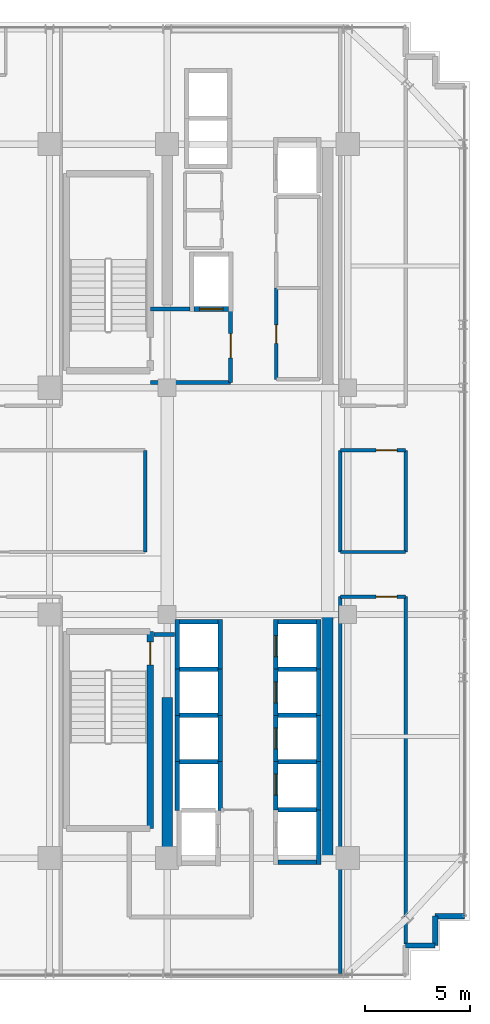
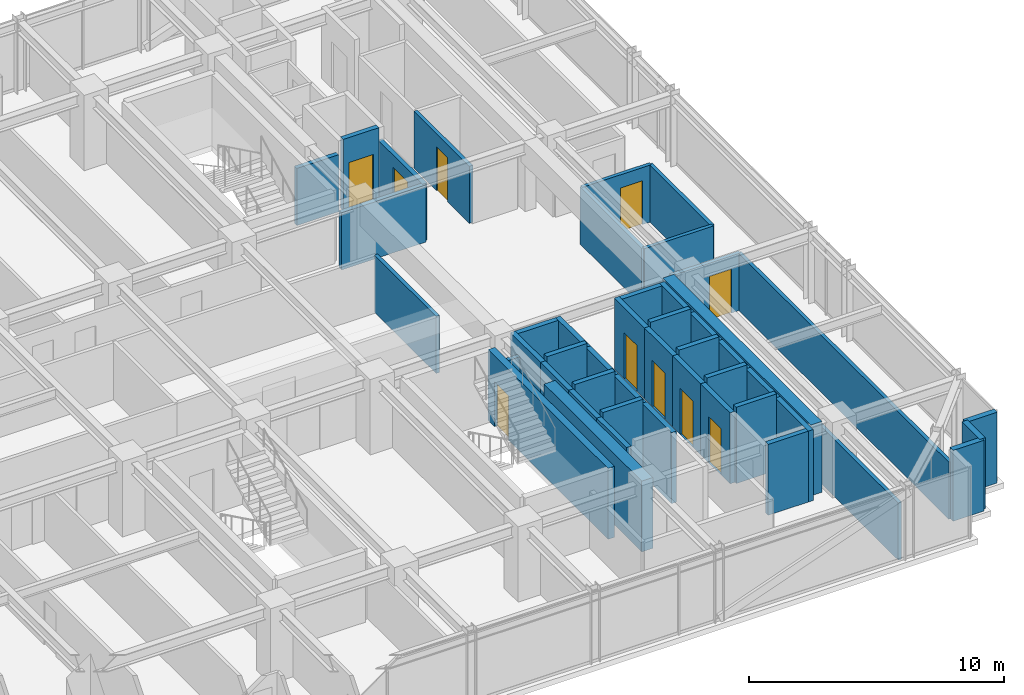
# One storey, part 27 of 32: 47 walls, 10 doors, 10 openings.
"""IFC4 building model written with IfcOpenShell, lengths in metres."""

from ifc_helpers import new_model, si_unit, direction, frame, frame_2d, origin, place, context, subcontext, project, spatial, rectangle, extrude, source, transform, mapped, material, layer, layer_set, type_object, element, fill, save


model = new_model("IFC4")

# Units and contexts
model_context = context("Model", 3, precision=1e-05, world=origin(), true_north=direction((0.0, 1.0)))
body_context = subcontext(model_context, "Body", "Model", "MODEL_VIEW")
ifc_project = project(units=[si_unit("LENGTHUNIT", "METRE"), si_unit("AREAUNIT", "SQUARE_METRE"), si_unit("VOLUMEUNIT", "CUBIC_METRE"), si_unit("PLANEANGLEUNIT", "RADIAN"), si_unit("MASSUNIT", "GRAM", prefix="KILO")], contexts=[model_context])

# Site, building, storey
site_placement = place(None, origin())
site = spatial("IfcSite", under=ifc_project, at=site_placement, CompositionType="ELEMENT")
building_placement = place(site_placement, origin())
building = spatial("IfcBuilding", under=site, at=building_placement, Name="Nahalor Promenade Grand Hotel", CompositionType="ELEMENT")
storey_placement = place(building_placement, frame((0.0, 0.0, 152.64990234375)))
storey = spatial("IfcBuildingStorey", under=building, at=storey_placement, Name="L38", CompositionType="ELEMENT", Elevation=152.64990234375)

# Walls
ifc_material_1 = material(Name="Concrete B-60 (C50/60)", Category="concrete")
ifc_layer_1 = layer(ifc_material_1, 0.5)
ifc_layer_set_1 = layer_set([ifc_layer_1], Name="Concrete B-60 (C50/60)")
wall_type_1 = type_object("IfcWallType", Name="Wall-CoreShear-500", PredefinedType="SHEAR", material=ifc_layer_set_1)
shared_shape_1 = source(origin(), body_context, "Body", "SweptSolid", [
    extrude(rectangle(XDim=7.64990234375, YDim=0.5, at=frame_2d((3.824951171875, 0.0))), origin(), (0.0, 0.0, 1.0), 3.39013671875),
])
wall_1_placement = place(storey_placement, frame((8.39990234375, -17.0, 0.0), z_axis=(0.0, 0.0, 1.0), x_axis=(0.0, 1.0, 0.0)))
element("IfcWall", 1, at=wall_1_placement, inside=storey, type_object=wall_type_1, Name="CWALL-L38-SW", PredefinedType="SHEAR", context=body_context, shape_type="MappedRepresentation", body=[
    mapped(shared_shape_1, transform((0.0, 0.0, 0.0), scale=1.0)),
])
shared_shape_2 = source(origin(), body_context, "Body", "SweptSolid", [
    extrude(rectangle(XDim=11.60009765625, YDim=0.5, at=frame_2d((5.800048828125, 0.0))), origin(), (0.0, 0.0, 1.0), 3.39013671875),
])
wall_2_placement = place(storey_placement, frame((16.050048828125, -17.0, 0.0), z_axis=(0.0, 0.0, 1.0), x_axis=(0.0, 1.0, 0.0)))
element("IfcWall", 2, at=wall_2_placement, inside=storey, type_object=wall_type_1, Name="CWALL-L38-SE", PredefinedType="SHEAR", context=body_context, shape_type="MappedRepresentation", body=[
    mapped(shared_shape_2, transform((0.0, 0.0, 0.0), scale=1.0)),
])

# Wall, opening, door
ifc_material_2 = material(Name="Concrete B-50 (C40/50)", Category="concrete")
ifc_layer_2 = layer(ifc_material_2, 0.300048828125)
ifc_layer_set_2 = layer_set([ifc_layer_2], Name="Concrete B-50 (C40/50)")
wall_type_2 = type_object("IfcWallType", Name="Wall-ShaftShear-300", PredefinedType="SHEAR", material=ifc_layer_set_2)
shared_shape_3 = source(origin(), body_context, "Body", "SweptSolid", [
    extrude(rectangle(XDim=9.380126953125, YDim=0.300048828125, at=frame_2d((4.68994140625, 0.0))), origin(), (0.0, 0.0, 1.0), 3.39013671875),
])
wall_3_placement = place(storey_placement, frame((7.590087890625, -15.590087890625, 0.0), z_axis=(0.0, 0.0, 1.0), x_axis=(0.0, 1.0, 0.0)))
wall_3 = element("IfcWall", 3, at=wall_3_placement, inside=storey, type_object=wall_type_2, Name="L38 Exit Stair ST2 Shaft Wall E", PredefinedType="SHEAR", context=body_context, shape_type="MappedRepresentation", body=[
    mapped(shared_shape_3, transform((0.0, 0.0, 0.0), scale=1.0)),
])
opening_1_placement = place(wall_3_placement, frame((7.7900390625, 0.0, 0.0)))
opening_1 = element("IfcOpeningElement", 4, at=opening_1_placement, cuts=wall_3, Name="Opening D-ST1", PredefinedType="OPENING", context=body_context, shape_type="SweptSolid", body=[
    extrude(rectangle(XDim=1.10009765625, YDim=2.14990234375, at=frame_2d((0.550048828125, 1.074951171875))), frame((0.0, 0.159912109375, 0.0), z_axis=(0.0, -1.0, 0.0), x_axis=(1.0, 0.0, 0.0)), (0.0, 0.0, 1.0), 0.320068359375),
])
ifc_material_3 = material(Name="Steel S355JR", Category="steel")
door_type_1 = type_object("IfcDoorType", Name="Door-StairFire-1100", OperationType="NOTDEFINED", PredefinedType="DOOR", material=ifc_material_3)
shared_shape_4 = source(origin(), body_context, "Body", "SweptSolid", [
    extrude(rectangle(XDim=1.10009765625, YDim=2.14990234375, at=frame_2d((0.550048828125, 1.074951171875))), frame((0.0, 0.02490234375, 0.0), z_axis=(0.0, -1.0, 0.0), x_axis=(1.0, 0.0, 0.0)), (0.0, 0.0, 1.0), 0.050048828125),
])
door_1_placement = place(opening_1_placement, origin())
door_1 = element("IfcDoor", 5, at=door_1_placement, inside=storey, type_object=door_type_1, Name="DR-STAIR-ST2-L38", OperationType="SINGLE_SWING_LEFT", OverallHeight=2.14990234375, OverallWidth=1.10009765625, PredefinedType="DOOR", context=body_context, shape_type="MappedRepresentation", body=[
    mapped(shared_shape_4, transform((0.0, 0.0, 0.0), scale=1.0)),
])
fill(opening_1, door_1)

# Walls
ifc_layer_3 = layer(ifc_material_2, 0.219970703125)
ifc_layer_set_3 = layer_set([ifc_layer_3], Name="Concrete B-50 (C40/50)")
wall_type_3 = type_object("IfcWallType", Name="Wall-LiftShaft-220", PredefinedType="SHEAR", material=ifc_layer_set_3)
shared_shape_5 = source(origin(), body_context, "Body", "SweptSolid", [
    extrude(rectangle(XDim=1.820068359375, YDim=0.219970703125, at=frame_2d((0.91015625, 0.0))), origin(), (0.0, 0.0, 1.0), 3.650146484375),
])
for number, where, z_axis, x_axis, name in (
    (6, (13.68994140625, -8.0, 0.0), (0.0, 0.0, 1.0), (1.0, 0.0, 0.0), "L38 Lift PL6 Hoistway Wall N"),
    (7, (13.68994140625, -10.199951171875, 0.0), (0.0, 0.0, 1.0), (1.0, 0.0, 0.0), "L38 Lift PL7 Hoistway Wall N"),
    (8, (13.68994140625, -12.39990234375, 0.0), (0.0, 0.0, 1.0), (1.0, 0.0, 0.0), "L38 Lift PL8 Hoistway Wall N"),
    (9, (8.989990234375, -8.0, 0.0), (0.0, 0.0, 1.0), (1.0, 0.0, 0.0), "L38 Lift PL10 Hoistway Wall N"),
    (10, (8.989990234375, -10.199951171875, 0.0), (0.0, 0.0, 1.0), (1.0, 0.0, 0.0), "L38 Lift PL11 Hoistway Wall N"),
    (11, (8.989990234375, -12.39990234375, 0.0), (0.0, 0.0, 1.0), (1.0, 0.0, 0.0), "L38 Lift PL12 Hoistway Wall N"),
    (12, (13.68994140625, -14.699951171875, 0.0), (0.0, 0.0, 1.0), (1.0, 0.0, 0.0), "L38 Lift SV2 Hoistway Wall N"),
):
    element("IfcWall", number, at=place(storey_placement, frame(where, z_axis=z_axis, x_axis=x_axis)), inside=storey, type_object=wall_type_3, Name=name, PredefinedType="SHEAR", context=body_context, shape_type="MappedRepresentation", body=[
        mapped(shared_shape_5, transform((0.0, 0.0, 0.0), scale=1.0)),
    ])

# Wall, opening, door
shared_shape_6 = source(origin(), body_context, "Body", "SweptSolid", [
    extrude(rectangle(XDim=2.360107421875, YDim=0.219970703125, at=frame_2d((1.18017578125, 0.0))), origin(), (0.0, 0.0, 1.0), 3.39013671875),
])
wall_4_placement = place(storey_placement, frame((13.580078125, -8.0, 0.0), z_axis=(0.0, 0.0, 1.0), x_axis=(0.0, 1.0, 0.0)))
wall_4 = element("IfcWall", 13, at=wall_4_placement, inside=storey, type_object=wall_type_3, Name="L38 Lift PL5 Hoistway Wall W", PredefinedType="SHEAR", context=body_context, shape_type="MappedRepresentation", body=[
    mapped(shared_shape_6, transform((0.0, 0.0, 0.0), scale=1.0)),
])
opening_2_placement = place(wall_4_placement, frame((0.60009765625, 0.0, 0.0)))
opening_2 = element("IfcOpeningElement", 14, at=opening_2_placement, cuts=wall_4, Name="Opening LD-01", PredefinedType="OPENING", context=body_context, shape_type="SweptSolid", body=[
    extrude(rectangle(XDim=1.0, YDim=2.199951171875, at=frame_2d((0.5, 1.10009765625))), frame((0.0, 0.119873046875, 0.0), z_axis=(0.0, -1.0, 0.0), x_axis=(1.0, 0.0, 0.0)), (0.0, 0.0, 1.0), 0.239990234375),
])
door_type_2 = type_object("IfcDoorType", Name="Door-LiftLanding-1000", OperationType="DOUBLE_DOOR_SLIDING", PredefinedType="DOOR", material=ifc_material_3)
shared_shape_7 = source(origin(), body_context, "Body", "SweptSolid", [
    extrude(rectangle(XDim=1.0, YDim=2.199951171875, at=frame_2d((0.5, 1.10009765625))), frame((0.0, 0.02490234375, 0.0), z_axis=(0.0, -1.0, 0.0), x_axis=(1.0, 0.0, 0.0)), (0.0, 0.0, 1.0), 0.050048828125),
])
door_2_placement = place(opening_2_placement, origin())
door_2 = element("IfcDoor", 15, at=door_2_placement, inside=storey, type_object=door_type_2, Name="DR-LIFT-PL5-L38", OperationType="DOUBLE_DOOR_SLIDING", OverallHeight=2.199951171875, OverallWidth=1.0, PredefinedType="DOOR", context=body_context, shape_type="MappedRepresentation", body=[
    mapped(shared_shape_7, transform((0.0, 0.0, 0.0), scale=1.0)),
])
fill(opening_2, door_2)

# Walls
for number, where, z_axis, x_axis, name in (
    (16, (15.6201171875, -8.0, 0.0), (0.0, 0.0, 1.0), (0.0, 1.0, 0.0), "L38 Lift PL5 Hoistway Wall E"),
    (17, (8.8798828125, -8.0, 0.0), (0.0, 0.0, 1.0), (0.0, 1.0, 0.0), "L38 Lift PL9 Hoistway Wall W"),
    (18, (10.919921875, -8.0, 0.0), (0.0, 0.0, 1.0), (0.0, 1.0, 0.0), "L38 Lift PL9 Hoistway Wall E"),
):
    element("IfcWall", number, at=place(storey_placement, frame(where, z_axis=z_axis, x_axis=x_axis)), inside=storey, type_object=wall_type_3, Name=name, PredefinedType="SHEAR", context=body_context, shape_type="MappedRepresentation", body=[
        mapped(shared_shape_6, transform((0.0, 0.0, 0.0), scale=1.0)),
    ])
shared_shape_8 = source(origin(), body_context, "Body", "SweptSolid", [
    extrude(rectangle(XDim=1.820068359375, YDim=0.219970703125, at=frame_2d((0.91015625, 0.0))), origin(), (0.0, 0.0, 1.0), 3.39013671875),
])
for number, where, z_axis, x_axis, name in (
    (19, (13.68994140625, -5.75, 0.0), (0.0, 0.0, 1.0), (1.0, 0.0, 0.0), "L38 Lift PL5 Hoistway Wall N"),
    (20, (8.989990234375, -5.75, 0.0), (0.0, 0.0, 1.0), (1.0, 0.0, 0.0), "L38 Lift PL9 Hoistway Wall N"),
    (21, (13.68994140625, -17.199951171875, 0.0), (0.0, 0.0, 1.0), (1.0, 0.0, 0.0), "L38 Lift SV2 Hoistway Wall S"),
):
    element("IfcWall", number, at=place(storey_placement, frame(where, z_axis=z_axis, x_axis=x_axis)), inside=storey, type_object=wall_type_3, Name=name, PredefinedType="SHEAR", context=body_context, shape_type="MappedRepresentation", body=[
        mapped(shared_shape_8, transform((0.0, 0.0, 0.0), scale=1.0)),
    ])

# Wall, opening, door
shared_shape_9 = source(origin(), body_context, "Body", "SweptSolid", [
    extrude(rectangle(XDim=2.199951171875, YDim=0.219970703125, at=frame_2d((1.10009765625, 0.0))), origin(), (0.0, 0.0, 1.0), 3.39013671875),
])
wall_5_placement = place(storey_placement, frame((13.580078125, -10.199951171875, 0.0), z_axis=(0.0, 0.0, 1.0), x_axis=(0.0, 1.0, 0.0)))
wall_5 = element("IfcWall", 22, at=wall_5_placement, inside=storey, type_object=wall_type_3, Name="L38 Lift PL6 Hoistway Wall W", PredefinedType="SHEAR", context=body_context, shape_type="MappedRepresentation", body=[
    mapped(shared_shape_9, transform((0.0, 0.0, 0.0), scale=1.0)),
])
opening_3_placement = place(wall_5_placement, frame((0.60009765625, 0.0, 0.0)))
opening_3 = element("IfcOpeningElement", 23, at=opening_3_placement, cuts=wall_5, Name="Opening LD-01", PredefinedType="OPENING", context=body_context, shape_type="SweptSolid", body=[
    extrude(rectangle(XDim=1.0, YDim=2.199951171875, at=frame_2d((0.5, 1.10009765625))), frame((0.0, 0.119873046875, 0.0), z_axis=(0.0, -1.0, 0.0), x_axis=(1.0, 0.0, 0.0)), (0.0, 0.0, 1.0), 0.239990234375),
])
door_3_placement = place(opening_3_placement, origin())
door_3 = element("IfcDoor", 24, at=door_3_placement, inside=storey, type_object=door_type_2, Name="DR-LIFT-PL6-L38", OperationType="DOUBLE_DOOR_SLIDING", OverallHeight=2.199951171875, OverallWidth=1.0, PredefinedType="DOOR", context=body_context, shape_type="MappedRepresentation", body=[
    mapped(shared_shape_7, transform((0.0, 0.0, 0.0), scale=1.0)),
])
fill(opening_3, door_3)

# Wall
wall_6_placement = place(storey_placement, frame((15.6201171875, -10.199951171875, 0.0), z_axis=(0.0, 0.0, 1.0), x_axis=(0.0, 1.0, 0.0)))
element("IfcWall", 25, at=wall_6_placement, inside=storey, type_object=wall_type_3, Name="L38 Lift PL6 Hoistway Wall E", PredefinedType="SHEAR", context=body_context, shape_type="MappedRepresentation", body=[
    mapped(shared_shape_9, transform((0.0, 0.0, 0.0), scale=1.0)),
])

# Wall, opening, door
wall_7_placement = place(storey_placement, frame((13.580078125, -12.39990234375, 0.0), z_axis=(0.0, 0.0, 1.0), x_axis=(0.0, 1.0, 0.0)))
wall_7 = element("IfcWall", 26, at=wall_7_placement, inside=storey, type_object=wall_type_3, Name="L38 Lift PL7 Hoistway Wall W", PredefinedType="SHEAR", context=body_context, shape_type="MappedRepresentation", body=[
    mapped(shared_shape_9, transform((0.0, 0.0, 0.0), scale=1.0)),
])
opening_4_placement = place(wall_7_placement, frame((0.60009765625, 0.0, 0.0)))
opening_4 = element("IfcOpeningElement", 27, at=opening_4_placement, cuts=wall_7, Name="Opening LD-01", PredefinedType="OPENING", context=body_context, shape_type="SweptSolid", body=[
    extrude(rectangle(XDim=1.0, YDim=2.199951171875, at=frame_2d((0.5, 1.10009765625))), frame((0.0, 0.119873046875, 0.0), z_axis=(0.0, -1.0, 0.0), x_axis=(1.0, 0.0, 0.0)), (0.0, 0.0, 1.0), 0.239990234375),
])
door_4_placement = place(opening_4_placement, origin())
door_4 = element("IfcDoor", 28, at=door_4_placement, inside=storey, type_object=door_type_2, Name="DR-LIFT-PL7-L38", OperationType="DOUBLE_DOOR_SLIDING", OverallHeight=2.199951171875, OverallWidth=1.0, PredefinedType="DOOR", context=body_context, shape_type="MappedRepresentation", body=[
    mapped(shared_shape_7, transform((0.0, 0.0, 0.0), scale=1.0)),
])
fill(opening_4, door_4)

# Walls
for number, where, z_axis, x_axis, name in (
    (29, (15.6201171875, -12.39990234375, 0.0), (0.0, 0.0, 1.0), (0.0, 1.0, 0.0), "L38 Lift PL7 Hoistway Wall E"),
    (30, (8.8798828125, -10.199951171875, 0.0), (0.0, 0.0, 1.0), (0.0, 1.0, 0.0), "L38 Lift PL10 Hoistway Wall W"),
    (31, (10.919921875, -10.199951171875, 0.0), (0.0, 0.0, 1.0), (0.0, 1.0, 0.0), "L38 Lift PL10 Hoistway Wall E"),
    (32, (8.8798828125, -12.39990234375, 0.0), (0.0, 0.0, 1.0), (0.0, 1.0, 0.0), "L38 Lift PL11 Hoistway Wall W"),
    (33, (10.919921875, -12.39990234375, 0.0), (0.0, 0.0, 1.0), (0.0, 1.0, 0.0), "L38 Lift PL11 Hoistway Wall E"),
):
    element("IfcWall", number, at=place(storey_placement, frame(where, z_axis=z_axis, x_axis=x_axis)), inside=storey, type_object=wall_type_3, Name=name, PredefinedType="SHEAR", context=body_context, shape_type="MappedRepresentation", body=[
        mapped(shared_shape_9, transform((0.0, 0.0, 0.0), scale=1.0)),
    ])

# Wall, opening, door
shared_shape_10 = source(origin(), body_context, "Body", "SweptSolid", [
    extrude(rectangle(XDim=2.300048828125, YDim=0.219970703125, at=frame_2d((1.14990234375, 0.0))), origin(), (0.0, 0.0, 1.0), 3.39013671875),
])
wall_8_placement = place(storey_placement, frame((13.580078125, -14.699951171875, 0.0), z_axis=(0.0, 0.0, 1.0), x_axis=(0.0, 1.0, 0.0)))
wall_8 = element("IfcWall", 34, at=wall_8_placement, inside=storey, type_object=wall_type_3, Name="L38 Lift PL8 Hoistway Wall W", PredefinedType="SHEAR", context=body_context, shape_type="MappedRepresentation", body=[
    mapped(shared_shape_10, transform((0.0, 0.0, 0.0), scale=1.0)),
])
opening_5_placement = place(wall_8_placement, frame((0.699951171875, 0.0, 0.0)))
opening_5 = element("IfcOpeningElement", 35, at=opening_5_placement, cuts=wall_8, Name="Opening LD-01", PredefinedType="OPENING", context=body_context, shape_type="SweptSolid", body=[
    extrude(rectangle(XDim=1.0, YDim=2.199951171875, at=frame_2d((0.5, 1.10009765625))), frame((0.0, 0.119873046875, 0.0), z_axis=(0.0, -1.0, 0.0), x_axis=(1.0, 0.0, 0.0)), (0.0, 0.0, 1.0), 0.239990234375),
])
door_5_placement = place(opening_5_placement, origin())
door_5 = element("IfcDoor", 36, at=door_5_placement, inside=storey, type_object=door_type_2, Name="DR-LIFT-PL8-L38", OperationType="DOUBLE_DOOR_SLIDING", OverallHeight=2.199951171875, OverallWidth=1.0, PredefinedType="DOOR", context=body_context, shape_type="MappedRepresentation", body=[
    mapped(shared_shape_7, transform((0.0, 0.0, 0.0), scale=1.0)),
])
fill(opening_5, door_5)

# Walls
wall_9_placement = place(storey_placement, frame((15.6201171875, -14.699951171875, 0.0), z_axis=(0.0, 0.0, 1.0), x_axis=(0.0, 1.0, 0.0)))
element("IfcWall", 37, at=wall_9_placement, inside=storey, type_object=wall_type_3, Name="L38 Lift PL8 Hoistway Wall E", PredefinedType="SHEAR", context=body_context, shape_type="MappedRepresentation", body=[
    mapped(shared_shape_10, transform((0.0, 0.0, 0.0), scale=1.0)),
])
shared_shape_11 = source(origin(), body_context, "Body", "SweptSolid", [
    extrude(rectangle(XDim=2.3251953125, YDim=0.219970703125, at=frame_2d((1.16259765625, 0.0))), origin(), (0.0, 0.0, 1.0), 3.39013671875),
])
for number, where, z_axis, x_axis, name in (
    (38, (8.8798828125, -14.72509765625, 0.0), (0.0, 0.0, 1.0), (0.0, 1.0, 0.0), "L38 Lift PL12 Hoistway Wall W"),
    (39, (10.919921875, -14.72509765625, 0.0), (0.0, 0.0, 1.0), (0.0, 1.0, 0.0), "L38 Lift PL12 Hoistway Wall E"),
):
    element("IfcWall", number, at=place(storey_placement, frame(where, z_axis=z_axis, x_axis=x_axis)), inside=storey, type_object=wall_type_3, Name=name, PredefinedType="SHEAR", context=body_context, shape_type="MappedRepresentation", body=[
        mapped(shared_shape_11, transform((0.0, 0.0, 0.0), scale=1.0)),
    ])

# Wall, opening, door
shared_shape_12 = source(origin(), body_context, "Body", "SweptSolid", [
    extrude(rectangle(XDim=1.6201171875, YDim=0.219970703125, at=frame_2d((0.81005859375, 0.0))), origin(), (0.0, 0.0, 1.0), 3.39013671875),
])
wall_10_placement = place(storey_placement, frame((9.68994140625, 9.14990234375, 0.0), z_axis=(0.0, 0.0, 1.0), x_axis=(1.0, 0.0, 0.0)))
wall_10 = element("IfcWall", 40, at=wall_10_placement, inside=storey, type_object=wall_type_3, Name="L38 Lift FL1 Hoistway Wall S", PredefinedType="SHEAR", context=body_context, shape_type="MappedRepresentation", body=[
    mapped(shared_shape_12, transform((0.0, 0.0, 0.0), scale=1.0)),
])
opening_6_placement = place(wall_10_placement, frame((0.260009765625, 0.0, 0.0)))
opening_6 = element("IfcOpeningElement", 41, at=opening_6_placement, cuts=wall_10, Name="Opening LD-02", PredefinedType="OPENING", context=body_context, shape_type="SweptSolid", body=[
    extrude(rectangle(XDim=1.10009765625, YDim=2.199951171875, at=frame_2d((0.550048828125, 1.10009765625))), frame((0.0, 0.119873046875, 0.0), z_axis=(0.0, -1.0, 0.0), x_axis=(1.0, 0.0, 0.0)), (0.0, 0.0, 1.0), 0.239990234375),
])
door_type_3 = type_object("IfcDoorType", Name="Door-LiftFF-1100", OperationType="DOUBLE_DOOR_SLIDING", PredefinedType="DOOR", material=ifc_material_3)
shared_shape_13 = source(origin(), body_context, "Body", "SweptSolid", [
    extrude(rectangle(XDim=1.10009765625, YDim=2.199951171875, at=frame_2d((0.550048828125, 1.10009765625))), frame((0.0, 0.02490234375, 0.0), z_axis=(0.0, -1.0, 0.0), x_axis=(1.0, 0.0, 0.0)), (0.0, 0.0, 1.0), 0.050048828125),
])
door_6_placement = place(opening_6_placement, frame((1.10009765625, 0.0, 0.0), z_axis=(0.0, 0.0, 1.0), x_axis=(-1.0, 0.0, 0.0)))
door_6 = element("IfcDoor", 42, at=door_6_placement, inside=storey, type_object=door_type_3, Name="DR-LIFT-FL1-L38", OperationType="DOUBLE_DOOR_SLIDING", OverallHeight=2.199951171875, OverallWidth=1.10009765625, PredefinedType="DOOR", context=body_context, shape_type="MappedRepresentation", body=[
    mapped(shared_shape_13, transform((0.0, 0.0, 0.0), scale=1.0)),
])
fill(opening_6, door_6)

# Walls
shared_shape_14 = source(origin(), body_context, "Body", "SweptSolid", [
    extrude(rectangle(XDim=2.610107421875, YDim=0.219970703125, at=frame_2d((1.30517578125, 0.0))), origin(), (0.0, 0.0, 1.0), 3.39013671875),
])
wall_11_placement = place(storey_placement, frame((15.6201171875, -17.31005859375, 0.0), z_axis=(0.0, 0.0, 1.0), x_axis=(0.0, 1.0, 0.0)))
element("IfcWall", 43, at=wall_11_placement, inside=storey, type_object=wall_type_3, Name="L38 Lift SV2 Hoistway Wall E", PredefinedType="SHEAR", context=body_context, shape_type="MappedRepresentation", body=[
    mapped(shared_shape_14, transform((0.0, 0.0, 0.0), scale=1.0)),
])
ifc_material_4 = material(Name="Concrete B-40 (C32/40)", Category="concrete")
ifc_layer_4 = layer(ifc_material_4, 0.25)
ifc_layer_set_4 = layer_set([ifc_layer_4], Name="Concrete B-40 (C32/40)")
wall_type_4 = type_object("IfcWallType", Name="Wall-BronzePier-250", PredefinedType="STANDARD", material=ifc_layer_set_4)
shared_shape_15 = source(origin(), body_context, "Body", "SweptSolid", [
    extrude(rectangle(XDim=1.400146484375, YDim=0.25, at=frame_2d((0.7001953125, 0.0))), origin(), (0.0, 0.0, 1.0), 3.39013671875),
])
wall_12_placement = place(storey_placement, frame((21.159912109375, -19.760009765625, 0.0), z_axis=(0.0, 0.0, 1.0), x_axis=(1.0, 0.0, 0.0)))
element("IfcWall", 44, at=wall_12_placement, inside=storey, type_object=wall_type_4, Name="W-L38-SR-04", PredefinedType="STANDARD", context=body_context, shape_type="MappedRepresentation", body=[
    mapped(shared_shape_15, transform((0.0, 0.0, 0.0), scale=1.0)),
])
shared_shape_16 = source(origin(), body_context, "Body", "SweptSolid", [
    extrude(rectangle(XDim=1.39990234375, YDim=0.25, at=frame_2d((0.699951171875, 0.0))), origin(), (0.0, 0.0, 1.0), 3.39013671875),
])
for number, where, z_axis, x_axis, name in (
    (45, (19.760009765625, -21.159912109375, 0.0), (0.0, 0.0, 1.0), (1.0, 0.0, 0.0), "W-L38-SR-02"),
    (46, (21.159912109375, -21.159912109375, 0.0), (0.0, 0.0, 1.0), (0.0, 1.0, 0.0), "W-L38-SR-03"),
):
    element("IfcWall", number, at=place(storey_placement, frame(where, z_axis=z_axis, x_axis=x_axis)), inside=storey, type_object=wall_type_4, Name=name, PredefinedType="STANDARD", context=body_context, shape_type="MappedRepresentation", body=[
        mapped(shared_shape_16, transform((0.0, 0.0, 0.0), scale=1.0)),
    ])
ifc_layer_5 = layer(ifc_material_4, 0.199951171875)
ifc_layer_set_5 = layer_set([ifc_layer_5], Name="Concrete B-40 (C32/40)")
wall_type_5 = type_object("IfcWallType", Name="Wall-PartFire-200", PredefinedType="PARTITIONING", material=ifc_layer_set_5)
shared_shape_17 = source(origin(), body_context, "Body", "SweptSolid", [
    extrude(rectangle(XDim=3.81982421875, YDim=0.199951171875, at=frame_2d((1.909912109375, 0.0))), origin(), (0.0, 0.0, 1.0), 2.72998046875),
])
wall_13_placement = place(storey_placement, frame((7.60009765625, 5.64990234375, 0.0), z_axis=(0.0, 0.0, 1.0), x_axis=(1.0, 0.0, 0.0)))
element("IfcWall", 47, at=wall_13_placement, inside=storey, type_object=wall_type_5, Name="W-L38-FF1-S", PredefinedType="PARTITIONING", context=body_context, shape_type="MappedRepresentation", body=[
    mapped(shared_shape_17, transform((0.0, 0.0, 0.0), scale=1.0)),
])
shared_shape_18 = source(origin(), body_context, "Body", "SweptSolid", [
    extrude(rectangle(XDim=1.89990234375, YDim=0.199951171875, at=frame_2d((0.949951171875, 0.0))), origin(), (0.0, 0.0, 1.0), 2.72998046875),
])
wall_14_placement = place(storey_placement, frame((7.60009765625, 9.14990234375, 0.0), z_axis=(0.0, 0.0, 1.0), x_axis=(1.0, 0.0, 0.0)))
element("IfcWall", 48, at=wall_14_placement, inside=storey, type_object=wall_type_5, Name="W-L38-FF1-N", PredefinedType="PARTITIONING", context=body_context, shape_type="MappedRepresentation", body=[
    mapped(shared_shape_18, transform((0.0, 0.0, 0.0), scale=1.0)),
])

# Wall, opening, door
shared_shape_19 = source(origin(), body_context, "Body", "SweptSolid", [
    extrude(rectangle(XDim=3.5, YDim=0.199951171875, at=frame_2d((1.75, 0.0))), origin(), (0.0, 0.0, 1.0), 2.72998046875),
])
wall_15_placement = place(storey_placement, frame((11.419921875, 5.64990234375, 0.0), z_axis=(0.0, 0.0, 1.0), x_axis=(0.0, 1.0, 0.0)))
wall_15 = element("IfcWall", 49, at=wall_15_placement, inside=storey, type_object=wall_type_5, Name="W-L38-FF1-E", PredefinedType="PARTITIONING", context=body_context, shape_type="MappedRepresentation", body=[
    mapped(shared_shape_19, transform((0.0, 0.0, 0.0), scale=1.0)),
])
opening_7_placement = place(wall_15_placement, frame((1.175048828125, 0.0, 0.0)))
opening_7 = element("IfcOpeningElement", 50, at=opening_7_placement, cuts=wall_15, Name="Opening D-FF1", PredefinedType="OPENING", context=body_context, shape_type="SweptSolid", body=[
    extrude(rectangle(XDim=1.14990234375, YDim=2.14990234375, at=frame_2d((0.574951171875, 1.074951171875))), frame((0.0, 0.10986328125, 0.0), z_axis=(0.0, -1.0, 0.0), x_axis=(1.0, 0.0, 0.0)), (0.0, 0.0, 1.0), 0.219970703125),
])
door_type_4 = type_object("IfcDoorType", Name="Door-FFLobby-1150", OperationType="NOTDEFINED", PredefinedType="DOOR", material=ifc_material_3)
shared_shape_20 = source(origin(), body_context, "Body", "SweptSolid", [
    extrude(rectangle(XDim=1.14990234375, YDim=2.14990234375, at=frame_2d((0.574951171875, 1.074951171875))), frame((0.0, 0.02490234375, 0.0), z_axis=(0.0, -1.0, 0.0), x_axis=(1.0, 0.0, 0.0)), (0.0, 0.0, 1.0), 0.050048828125),
])
door_7_placement = place(opening_7_placement, frame((1.14990234375, 0.0, 0.0), z_axis=(0.0, 0.0, 1.0), x_axis=(-1.0, 0.0, 0.0)))
door_7 = element("IfcDoor", 51, at=door_7_placement, inside=storey, type_object=door_type_4, Name="DR-L38-FFL1", OperationType="SINGLE_SWING_LEFT", OverallHeight=2.14990234375, OverallWidth=1.14990234375, PredefinedType="DOOR", context=body_context, shape_type="MappedRepresentation", body=[
    mapped(shared_shape_20, transform((0.0, 0.0, 0.0), scale=1.0)),
])
fill(opening_7, door_7)

# Wall
shared_shape_21 = source(origin(), body_context, "Body", "SweptSolid", [
    extrude(rectangle(XDim=0.969970703125, YDim=0.199951171875, at=frame_2d((0.48486328125, 0.0))), origin(), (0.0, 0.0, 1.0), 2.72998046875),
])
wall_16_placement = place(storey_placement, frame((7.77001953125, -6.35009765625, 0.0), z_axis=(0.0, 0.0, 1.0), x_axis=(1.0, 0.0, 0.0)))
element("IfcWall", 52, at=wall_16_placement, inside=storey, type_object=wall_type_5, Name="W-L38-FF2-N2", PredefinedType="PARTITIONING", context=body_context, shape_type="MappedRepresentation", body=[
    mapped(shared_shape_21, transform((0.0, 0.0, 0.0), scale=1.0)),
])

# Wall, opening, door
ifc_material_5 = material(Name="Acoustic Mineral Gypsum", Category="gypsum")
ifc_layer_6 = layer(ifc_material_5, 0.159912109375)
ifc_layer_set_6 = layer_set([ifc_layer_6], Name="Acoustic Mineral Gypsum")
wall_type_6 = type_object("IfcWallType", Name="Wall-PartCorridor-160", PredefinedType="PARTITIONING", material=ifc_layer_set_6)
shared_shape_22 = source(origin(), body_context, "Body", "SweptSolid", [
    extrude(rectangle(XDim=3.110107421875, YDim=0.159912109375, at=frame_2d((1.55517578125, 0.0))), origin(), (0.0, 0.0, 1.0), 2.72998046875),
])
wall_17_placement = place(storey_placement, frame((16.64990234375, -4.550048828125, 0.0), z_axis=(0.0, 0.0, 1.0), x_axis=(1.0, 0.0, 0.0)))
wall_17 = element("IfcWall", 53, at=wall_17_placement, inside=storey, type_object=wall_type_6, Name="W-L38-ESE-N", PredefinedType="PARTITIONING", context=body_context, shape_type="MappedRepresentation", body=[
    mapped(shared_shape_22, transform((0.0, 0.0, 0.0), scale=1.0)),
])
opening_8_placement = place(wall_17_placement, frame((1.700927734375, 0.0, 0.0)))
opening_8 = element("IfcOpeningElement", 54, at=opening_8_placement, cuts=wall_17, Name="Opening D-04", PredefinedType="OPENING", context=body_context, shape_type="SweptSolid", body=[
    extrude(rectangle(XDim=1.0, YDim=2.10009765625, at=frame_2d((0.5, 1.050048828125))), frame((0.0, 0.08984375, 0.0), z_axis=(0.0, -1.0, 0.0), x_axis=(1.0, 0.0, 0.0)), (0.0, 0.0, 1.0), 0.179931640625),
])
door_type_5 = type_object("IfcDoorType", Name="Door-ServiceFire-1000", OperationType="NOTDEFINED", PredefinedType="DOOR", material=ifc_material_3)
shared_shape_23 = source(origin(), body_context, "Body", "SweptSolid", [
    extrude(rectangle(XDim=1.0, YDim=2.10009765625, at=frame_2d((0.5, 1.050048828125))), frame((0.0, 0.02490234375, 0.0), z_axis=(0.0, -1.0, 0.0), x_axis=(1.0, 0.0, 0.0)), (0.0, 0.0, 1.0), 0.050048828125),
])
door_8_placement = place(opening_8_placement, frame((1.0, 0.0, 0.0), z_axis=(0.0, 0.0, 1.0), x_axis=(-1.0, 0.0, 0.0)))
door_8 = element("IfcDoor", 55, at=door_8_placement, inside=storey, type_object=door_type_5, Name="DR-L38-ESE", OperationType="SINGLE_SWING_RIGHT", OverallHeight=2.10009765625, OverallWidth=1.0, PredefinedType="DOOR", context=body_context, shape_type="MappedRepresentation", body=[
    mapped(shared_shape_23, transform((0.0, 0.0, 0.0), scale=1.0)),
])
fill(opening_8, door_8)

# Wall
wall_18_placement = place(storey_placement, frame((16.64990234375, -2.419921875, 0.0), z_axis=(0.0, 0.0, 1.0), x_axis=(1.0, 0.0, 0.0)))
element("IfcWall", 56, at=wall_18_placement, inside=storey, type_object=wall_type_6, Name="W-L38-ECW-S", PredefinedType="PARTITIONING", context=body_context, shape_type="MappedRepresentation", body=[
    mapped(shared_shape_22, transform((0.0, 0.0, 0.0), scale=1.0)),
])

# Wall, opening, door
wall_19_placement = place(storey_placement, frame((16.64990234375, 2.419921875, 0.0), z_axis=(0.0, 0.0, 1.0), x_axis=(1.0, 0.0, 0.0)))
wall_19 = element("IfcWall", 57, at=wall_19_placement, inside=storey, type_object=wall_type_6, Name="W-L38-ECW-N", PredefinedType="PARTITIONING", context=body_context, shape_type="MappedRepresentation", body=[
    mapped(shared_shape_22, transform((0.0, 0.0, 0.0), scale=1.0)),
])
opening_9_placement = place(wall_19_placement, frame((1.700927734375, 0.0, 0.0)))
opening_9 = element("IfcOpeningElement", 58, at=opening_9_placement, cuts=wall_19, Name="Opening D-04", PredefinedType="OPENING", context=body_context, shape_type="SweptSolid", body=[
    extrude(rectangle(XDim=1.0, YDim=2.10009765625, at=frame_2d((0.5, 1.050048828125))), frame((0.0, 0.08984375, 0.0), z_axis=(0.0, -1.0, 0.0), x_axis=(1.0, 0.0, 0.0)), (0.0, 0.0, 1.0), 0.179931640625),
])
door_9_placement = place(opening_9_placement, frame((1.0, 0.0, 0.0), z_axis=(0.0, 0.0, 1.0), x_axis=(-1.0, 0.0, 0.0)))
door_9 = element("IfcDoor", 59, at=door_9_placement, inside=storey, type_object=door_type_5, Name="DR-L38-ECW", OperationType="SINGLE_SWING_RIGHT", OverallHeight=2.10009765625, OverallWidth=1.0, PredefinedType="DOOR", context=body_context, shape_type="MappedRepresentation", body=[
    mapped(shared_shape_23, transform((0.0, 0.0, 0.0), scale=1.0)),
])
fill(opening_9, door_9)

# Walls
shared_shape_24 = source(origin(), body_context, "Body", "SweptSolid", [
    extrude(rectangle(XDim=17.949951171875, YDim=0.159912109375, at=frame_2d((8.97509765625, 0.0))), origin(), (0.0, 0.0, 1.0), 2.72998046875),
])
wall_20_placement = place(storey_placement, frame((16.64990234375, -22.5, 0.0), z_axis=(0.0, 0.0, 1.0), x_axis=(0.0, 1.0, 0.0)))
element("IfcWall", 60, at=wall_20_placement, inside=storey, type_object=wall_type_6, Name="W-L38-ESE-W", PredefinedType="PARTITIONING", context=body_context, shape_type="MappedRepresentation", body=[
    mapped(shared_shape_24, transform((0.0, 0.0, 0.0), scale=1.0)),
])
shared_shape_25 = source(origin(), body_context, "Body", "SweptSolid", [
    extrude(rectangle(XDim=16.530029296875, YDim=0.159912109375, at=frame_2d((8.26513671875, 0.0))), origin(), (0.0, 0.0, 1.0), 2.72998046875),
])
wall_21_placement = place(storey_placement, frame((19.760009765625, -21.080078125, 0.0), z_axis=(0.0, 0.0, 1.0), x_axis=(0.0, 1.0, 0.0)))
element("IfcWall", 61, at=wall_21_placement, inside=storey, type_object=wall_type_6, Name="W-L38-ESE-E", PredefinedType="PARTITIONING", context=body_context, shape_type="MappedRepresentation", body=[
    mapped(shared_shape_25, transform((0.0, 0.0, 0.0), scale=1.0)),
])
shared_shape_26 = source(origin(), body_context, "Body", "SweptSolid", [
    extrude(rectangle(XDim=4.83984375, YDim=0.159912109375, at=frame_2d((2.419921875, 0.0))), origin(), (0.0, 0.0, 1.0), 2.72998046875),
])
for number, where, z_axis, x_axis, name in (
    (62, (7.35009765625, -2.419921875, 0.0), (0.0, 0.0, 1.0), (0.0, 1.0, 0.0), "W-L38-CM2-E"),
    (63, (16.64990234375, -2.419921875, 0.0), (0.0, 0.0, 1.0), (0.0, 1.0, 0.0), "W-L38-ECW-W"),
    (64, (19.760009765625, -2.419921875, 0.0), (0.0, 0.0, 1.0), (0.0, 1.0, 0.0), "W-L38-ECW-E"),
):
    element("IfcWall", number, at=place(storey_placement, frame(where, z_axis=z_axis, x_axis=x_axis)), inside=storey, type_object=wall_type_6, Name=name, PredefinedType="PARTITIONING", context=body_context, shape_type="MappedRepresentation", body=[
        mapped(shared_shape_26, transform((0.0, 0.0, 0.0), scale=1.0)),
    ])

# Wall, opening, door
shared_shape_27 = source(origin(), body_context, "Body", "SweptSolid", [
    extrude(rectangle(XDim=4.349853515625, YDim=0.159912109375, at=frame_2d((2.1748046875, 0.0))), origin(), (0.0, 0.0, 1.0), 2.72998046875),
])
wall_22_placement = place(storey_placement, frame((13.60009765625, 5.800048828125, 0.0), z_axis=(0.0, 0.0, 1.0), x_axis=(0.0, 1.0, 0.0)))
wall_22 = element("IfcWall", 65, at=wall_22_placement, inside=storey, type_object=wall_type_6, Name="W-L38-FRB1A-W", PredefinedType="PARTITIONING", context=body_context, shape_type="MappedRepresentation", body=[
    mapped(shared_shape_27, transform((0.0, 0.0, 0.0), scale=1.0)),
])
opening_10_placement = place(wall_22_placement, frame((1.7099609375, 0.0, 0.0)))
opening_10 = element("IfcOpeningElement", 66, at=opening_10_placement, cuts=wall_22, Name="Opening D-03", PredefinedType="OPENING", context=body_context, shape_type="SweptSolid", body=[
    extrude(rectangle(XDim=0.8798828125, YDim=2.10009765625, at=frame_2d((0.43994140625, 1.050048828125))), frame((0.0, 0.08984375, 0.0), z_axis=(0.0, -1.0, 0.0), x_axis=(1.0, 0.0, 0.0)), (0.0, 0.0, 1.0), 0.179931640625),
])
ifc_material_6 = material(Name="Fire-Rated Timber Composite", Category="wood")
door_type_6 = type_object("IfcDoorType", Name="Door-BathSwing-880", OperationType="NOTDEFINED", PredefinedType="DOOR", material=ifc_material_6)
shared_shape_28 = source(origin(), body_context, "Body", "SweptSolid", [
    extrude(rectangle(XDim=0.8798828125, YDim=2.10009765625, at=frame_2d((0.43994140625, 1.050048828125))), frame((0.0, 0.02490234375, 0.0), z_axis=(0.0, -1.0, 0.0), x_axis=(1.0, 0.0, 0.0)), (0.0, 0.0, 1.0), 0.050048828125),
])
door_10_placement = place(opening_10_placement, frame((0.8798828125, 0.0, 0.0), z_axis=(0.0, 0.0, 1.0), x_axis=(-1.0, 0.0, 0.0)))
door_10 = element("IfcDoor", 67, at=door_10_placement, inside=storey, type_object=door_type_6, Name="DR-L38-FRB1A", OperationType="SINGLE_SWING_LEFT", OverallHeight=2.10009765625, OverallWidth=0.8798828125, PredefinedType="DOOR", context=body_context, shape_type="MappedRepresentation", body=[
    mapped(shared_shape_28, transform((0.0, 0.0, 0.0), scale=1.0)),
])
fill(opening_10, door_10)

save(model, "model.ifc")
